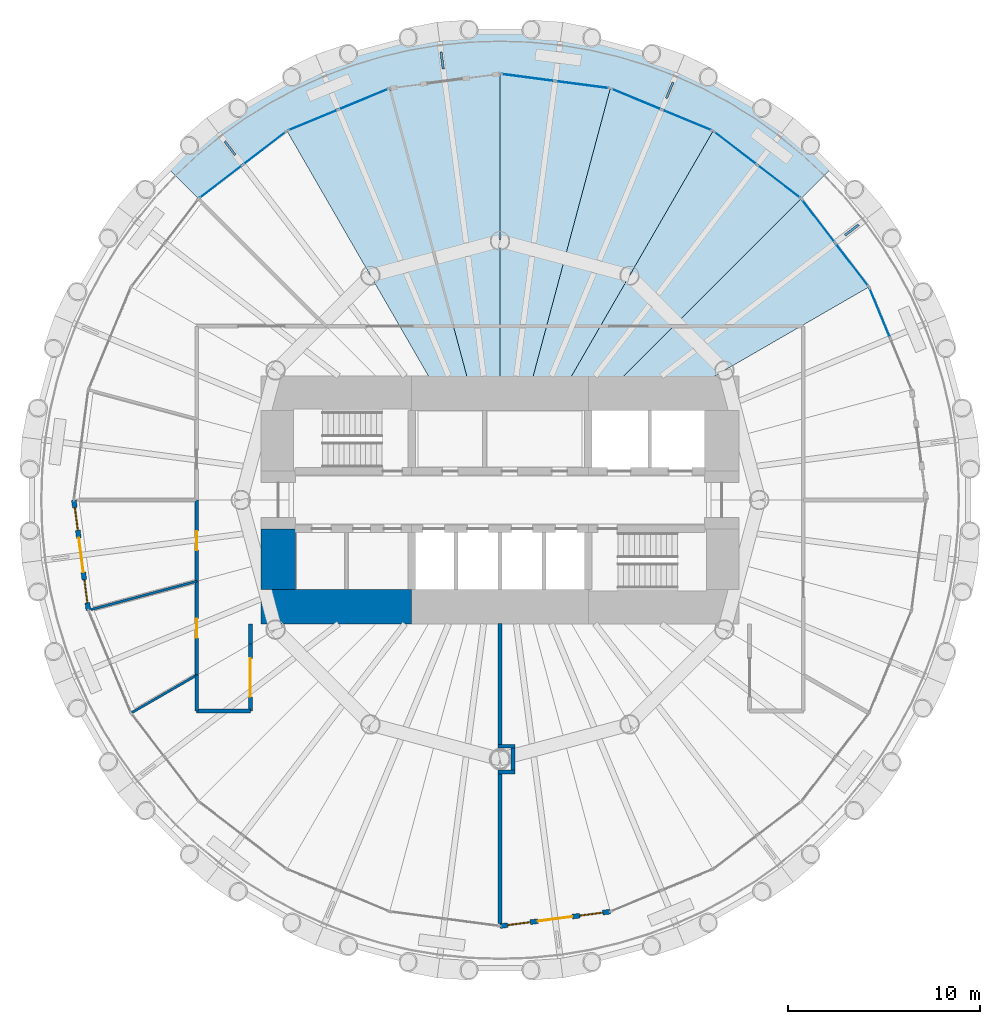
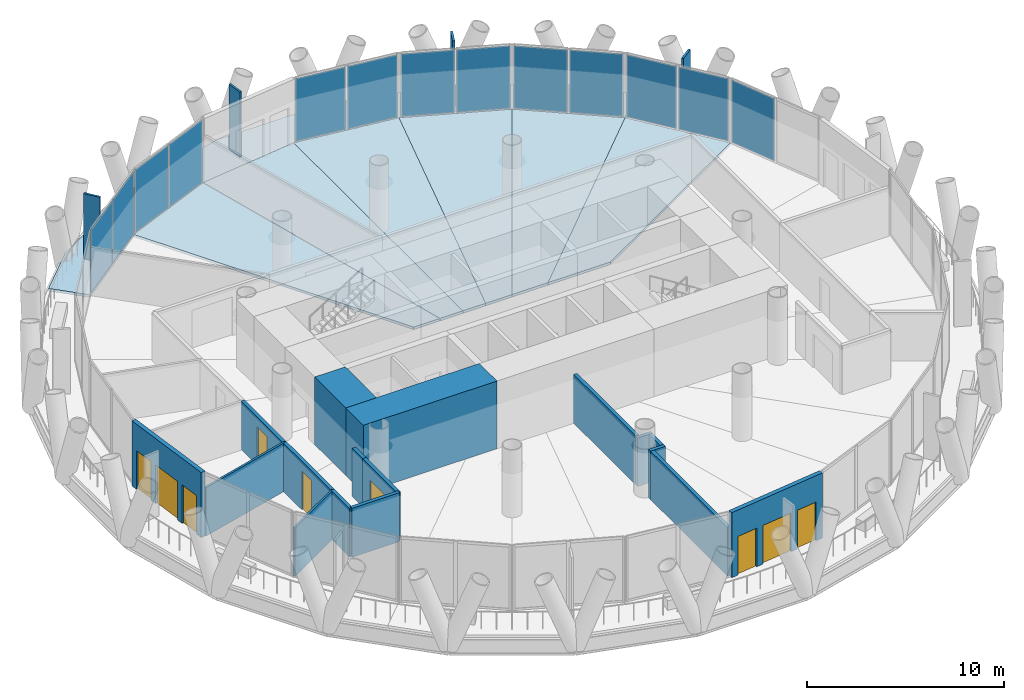
# One storey, part 8 of 14: 17 plates, 17 walls, 7 slabs, 5 doors, 4 windows, 9 openings, 7 elements without a shape of their own.
"""IFC4 building model written with IfcOpenShell, lengths in metres."""

from ifc_helpers import new_model, si_unit, direction, frame, frame_2d, origin, origin_2d, place, context, subcontext, project, spatial, polyline, rectangle, outline, extrude, material, layer, layer_set, type_object, element, fill, aggregate, save


model = new_model("IFC4")

# Units and contexts
model_context = context("Model", 3, precision=1e-05, world=origin(), true_north=direction((0.0, 1.0)))
body_context = subcontext(model_context, "Body", "Model", "MODEL_VIEW")
ifc_project = project(units=[si_unit("LENGTHUNIT", "METRE"), si_unit("AREAUNIT", "SQUARE_METRE"), si_unit("VOLUMEUNIT", "CUBIC_METRE"), si_unit("PLANEANGLEUNIT", "RADIAN"), si_unit("MASSUNIT", "GRAM", prefix="KILO")], contexts=[model_context])

# Site, building, storey
site_placement = place(None, origin())
site = spatial("IfcSite", under=ifc_project, at=site_placement, CompositionType="ELEMENT")
building_placement = place(site_placement, origin())
building = spatial("IfcBuilding", under=site, at=building_placement, Name="Qaws Media Tower", CompositionType="ELEMENT")
storey_placement = place(building_placement, frame((0.0, 0.0, 168.800048828125)))
storey = spatial("IfcBuildingStorey", under=building, at=storey_placement, Name="L38", CompositionType="ELEMENT", Elevation=168.800048828125)

# Slabs
ifc_material_1 = material(Name="Concrete C35/45", Category="concrete")
ifc_layer_1 = layer(ifc_material_1, 0.159912109375)
ifc_layer_set_1 = layer_set([ifc_layer_1], Name="Composite balcony slab 160")
slab_type_1 = type_object("IfcSlabType", Name="Composite balcony slab 160", PredefinedType="FLOOR", material=ifc_layer_set_1)
slab_1_placement = place(storey_placement, frame((0.0, 0.0, -0.16015625)))
element("IfcSlab", 1, at=slab_1_placement, inside=storey, type_object=slab_type_1, Name="S2 balcony slab L38 R04 to R10, movement joints on R04 and R10", PredefinedType="FLOOR", context=body_context, shape_type="SweptSolid", body=[
    extrude(outline(polyline([(45.0244140625, 69.5166015625), (50.5859375, 72.727294921875), (56.7890625, 74.389404296875), (63.2109375, 74.389404296875), (69.4140625, 72.727294921875), (74.9755859375, 69.5166015625), (77.24609375, 67.24609375), (75.69775390625, 65.69775390625), (71.10009765625, 69.225830078125), (65.745849609375, 71.443603515625), (60.0, 72.199951171875), (54.254150390625, 71.443603515625), (48.89990234375, 69.225830078125), (44.30224609375, 65.69775390625), (42.75390625, 67.24609375), (45.0244140625, 69.5166015625)])), origin(), (0.0, 0.0, 1.0), 0.16015625),
])
ifc_material_2 = material(Name="Concrete C35/45", Category="concrete")
ifc_layer_2 = layer(ifc_material_2, 0.159912109375)
ifc_layer_set_2 = layer_set([ifc_layer_2], Name="Composite floor slab 160")
slab_type_2 = type_object("IfcSlabType", Name="Composite floor slab 160", PredefinedType="FLOOR", material=ifc_layer_set_2)
slab_2_placement = place(storey_placement, frame((0.0, 0.0, -0.16015625)))
element("IfcSlab", 2, at=slab_2_placement, inside=storey, type_object=slab_type_2, Name="S1 floor panel L38 on R03+7.5", PredefinedType="FLOOR", context=body_context, shape_type="SweptSolid", body=[
    extrude(outline(polyline([(79.225830078125, 61.10009765625), (68.660400390625, 55.0), (65.0, 55.0), (75.69775390625, 65.69775390625), (79.225830078125, 61.10009765625)])), origin(), (0.0, 0.0, 1.0), 0.16015625),
])
slab_3_placement = place(storey_placement, frame((0.0, 0.0, -0.16015625)))
element("IfcSlab", 3, at=slab_3_placement, inside=storey, type_object=slab_type_2, Name="S1 floor panel L38 on R04+7.5", PredefinedType="FLOOR", context=body_context, shape_type="SweptSolid", body=[
    extrude(outline(polyline([(75.69775390625, 65.69775390625), (65.0, 55.0), (62.88671875, 55.0), (71.10009765625, 69.225830078125), (75.69775390625, 65.69775390625)])), origin(), (0.0, 0.0, 1.0), 0.16015625),
])
slab_4_placement = place(storey_placement, frame((0.0, 0.0, -0.16015625)))
element("IfcSlab", 4, at=slab_4_placement, inside=storey, type_object=slab_type_2, Name="S1 floor panel L38 on R05+7.5", PredefinedType="FLOOR", context=body_context, shape_type="SweptSolid", body=[
    extrude(outline(polyline([(65.745849609375, 71.443603515625), (71.10009765625, 69.225830078125), (62.88671875, 55.0), (61.339599609375, 55.0), (65.745849609375, 71.443603515625)])), origin(), (0.0, 0.0, 1.0), 0.16015625),
])
slab_5_placement = place(storey_placement, frame((0.0, 0.0, -0.16015625)))
element("IfcSlab", 5, at=slab_5_placement, inside=storey, type_object=slab_type_2, Name="S1 floor panel L38 on R06+7.5", PredefinedType="FLOOR", context=body_context, shape_type="SweptSolid", body=[
    extrude(outline(polyline([(65.745849609375, 71.443603515625), (61.339599609375, 55.0), (60.0, 55.0), (60.0, 72.199951171875), (65.745849609375, 71.443603515625)])), origin(), (0.0, 0.0, 1.0), 0.16015625),
])
slab_6_placement = place(storey_placement, frame((0.0, 0.0, -0.16015625)))
element("IfcSlab", 6, at=slab_6_placement, inside=storey, type_object=slab_type_2, Name="S1 floor panel L38 on R07+7.5", PredefinedType="FLOOR", context=body_context, shape_type="SweptSolid", body=[
    extrude(outline(polyline([(60.0, 72.199951171875), (60.0, 55.0), (58.660400390625, 55.0), (54.254150390625, 71.443603515625), (60.0, 72.199951171875)])), origin(), (0.0, 0.0, 1.0), 0.16015625),
])
slab_7_placement = place(storey_placement, frame((0.0, 0.0, -0.16015625)))
element("IfcSlab", 7, at=slab_7_placement, inside=storey, type_object=slab_type_2, Name="S1 floor panel L38 on R08+7.5", PredefinedType="FLOOR", context=body_context, shape_type="SweptSolid", body=[
    extrude(outline(polyline([(48.89990234375, 69.225830078125), (54.254150390625, 71.443603515625), (58.660400390625, 55.0), (57.11328125, 55.0), (48.89990234375, 69.225830078125)])), origin(), (0.0, 0.0, 1.0), 0.16015625),
])

# Curtain wall, plate
ifc_material_3 = material(Name="Aluminium and clear glass", Category="aluminium")
curtain_wall_type = type_object("IfcCurtainWallType", Name="Unitised curtain wall CW-B", PredefinedType="NOTDEFINED", material=ifc_material_3)
curtain_wall_1_placement = place(storey_placement, origin())
curtain_wall_1 = element("IfcCurtainWall", 8, at=curtain_wall_1_placement, inside=storey, type_object=curtain_wall_type, Name="CWB curtain wall L38-02", PredefinedType="NOTDEFINED")
ifc_material_4 = material(Name="Clear laminated double glazing", Category="glass")
ifc_layer_3 = layer(ifc_material_4, 0.031982421875)
ifc_layer_set_3 = layer_set([ifc_layer_3], Name="Curtain wall glass unit 32")
plate_type_1 = type_object("IfcPlateType", Name="Curtain wall glass unit 32", PredefinedType="CURTAIN_PANEL", material=ifc_layer_set_3)
plate_1_placement = place(storey_placement, frame((79.787841796875, 59.742919921875, 0.080078125), z_axis=(0.0, 0.0, 1.0), x_axis=(-0.382683388586, 0.923879550645, 0.0)))
plate_1 = element("IfcPlate", 9, at=plate_1_placement, type_object=plate_type_1, Name="CWB panel 2.1", PredefinedType="CURTAIN_PANEL", context=body_context, shape_type="SweptSolid", body=[
    extrude(rectangle(XDim=2.777587890625, YDim=0.031982421875, at=origin_2d()), origin(), (0.0, 0.0, 1.0), 3.8798828125),
])
aggregate(curtain_wall_1, [plate_1])

# Curtain wall, plates
curtain_wall_2_placement = place(storey_placement, origin())
curtain_wall_2 = element("IfcCurtainWall", 10, at=curtain_wall_2_placement, inside=storey, type_object=curtain_wall_type, Name="CWB curtain wall L38-03", PredefinedType="NOTDEFINED")
plate_2_placement = place(storey_placement, frame((78.33154296875, 62.265380859375, 0.080078125), z_axis=(0.0, 0.0, 1.0), x_axis=(-0.60876134507, 0.793353404699, 0.0)))
plate_2 = element("IfcPlate", 11, at=plate_2_placement, type_object=plate_type_1, Name="CWB panel 1.1", PredefinedType="CURTAIN_PANEL", context=body_context, shape_type="SweptSolid", body=[
    extrude(rectangle(XDim=2.777587890625, YDim=0.031982421875, at=origin_2d()), origin(), (0.0, 0.0, 1.0), 3.8798828125),
])
plate_3_placement = place(storey_placement, frame((76.592041015625, 64.532470703125, 0.080078125), z_axis=(0.0, 0.0, 1.0), x_axis=(-0.60876134507, 0.793353404699, 0.0)))
plate_3 = element("IfcPlate", 12, at=plate_3_placement, type_object=plate_type_1, Name="CWB panel 2.1", PredefinedType="CURTAIN_PANEL", context=body_context, shape_type="SweptSolid", body=[
    extrude(rectangle(XDim=2.777587890625, YDim=0.031982421875, at=origin_2d()), origin(), (0.0, 0.0, 1.0), 3.8798828125),
])
aggregate(curtain_wall_2, [plate_2, plate_3])

curtain_wall_3_placement = place(storey_placement, origin())
curtain_wall_3 = element("IfcCurtainWall", 13, at=curtain_wall_3_placement, inside=storey, type_object=curtain_wall_type, Name="CWB curtain wall L38-04", PredefinedType="NOTDEFINED")
plate_4_placement = place(storey_placement, frame((74.532470703125, 66.592041015625, 0.080078125), z_axis=(0.0, 0.0, 1.0), x_axis=(-0.793353404699, 0.60876134507, 0.0)))
plate_4 = element("IfcPlate", 14, at=plate_4_placement, type_object=plate_type_1, Name="CWB panel 1.1", PredefinedType="CURTAIN_PANEL", context=body_context, shape_type="SweptSolid", body=[
    extrude(rectangle(XDim=2.777587890625, YDim=0.031982421875, at=origin_2d()), origin(), (0.0, 0.0, 1.0), 3.8798828125),
])
plate_5_placement = place(storey_placement, frame((72.265380859375, 68.33154296875, 0.080078125), z_axis=(0.0, 0.0, 1.0), x_axis=(-0.793353404699, 0.60876134507, 0.0)))
plate_5 = element("IfcPlate", 15, at=plate_5_placement, type_object=plate_type_1, Name="CWB panel 2.1", PredefinedType="CURTAIN_PANEL", context=body_context, shape_type="SweptSolid", body=[
    extrude(rectangle(XDim=2.777587890625, YDim=0.031982421875, at=origin_2d()), origin(), (0.0, 0.0, 1.0), 3.8798828125),
])
aggregate(curtain_wall_3, [plate_4, plate_5])

curtain_wall_4_placement = place(storey_placement, origin())
curtain_wall_4 = element("IfcCurtainWall", 16, at=curtain_wall_4_placement, inside=storey, type_object=curtain_wall_type, Name="CWB curtain wall L38-05", PredefinedType="NOTDEFINED")
plate_6_placement = place(storey_placement, frame((69.742919921875, 69.787841796875, 0.080078125), z_axis=(0.0, 0.0, 1.0), x_axis=(-0.923879550645, 0.382683388586, 0.0)))
plate_6 = element("IfcPlate", 17, at=plate_6_placement, type_object=plate_type_1, Name="CWB panel 1.1", PredefinedType="CURTAIN_PANEL", context=body_context, shape_type="SweptSolid", body=[
    extrude(rectangle(XDim=2.777587890625, YDim=0.031982421875, at=origin_2d()), origin(), (0.0, 0.0, 1.0), 3.8798828125),
])
plate_7_placement = place(storey_placement, frame((67.102783203125, 70.88134765625, 0.080078125), z_axis=(0.0, 0.0, 1.0), x_axis=(-0.923879550645, 0.382683388586, 0.0)))
plate_7 = element("IfcPlate", 18, at=plate_7_placement, type_object=plate_type_1, Name="CWB panel 2.1", PredefinedType="CURTAIN_PANEL", context=body_context, shape_type="SweptSolid", body=[
    extrude(rectangle(XDim=2.777587890625, YDim=0.031982421875, at=origin_2d()), origin(), (0.0, 0.0, 1.0), 3.8798828125),
])
aggregate(curtain_wall_4, [plate_6, plate_7])

curtain_wall_5_placement = place(storey_placement, origin())
curtain_wall_5 = element("IfcCurtainWall", 19, at=curtain_wall_5_placement, inside=storey, type_object=curtain_wall_type, Name="CWB curtain wall L38-06", PredefinedType="NOTDEFINED")
plate_8_placement = place(storey_placement, frame((64.28955078125, 71.63525390625, 0.080078125), z_axis=(0.0, 0.0, 1.0), x_axis=(-0.991444854284, 0.13052624607, 0.0)))
plate_8 = element("IfcPlate", 20, at=plate_8_placement, type_object=plate_type_1, Name="CWB panel 1.1", PredefinedType="CURTAIN_PANEL", context=body_context, shape_type="SweptSolid", body=[
    extrude(rectangle(XDim=2.777587890625, YDim=0.031982421875, at=origin_2d()), origin(), (0.0, 0.0, 1.0), 3.8798828125),
])
plate_9_placement = place(storey_placement, frame((61.456298828125, 72.00830078125, 0.080078125), z_axis=(0.0, 0.0, 1.0), x_axis=(-0.991444854284, 0.13052624607, 0.0)))
plate_9 = element("IfcPlate", 21, at=plate_9_placement, type_object=plate_type_1, Name="CWB panel 2.1", PredefinedType="CURTAIN_PANEL", context=body_context, shape_type="SweptSolid", body=[
    extrude(rectangle(XDim=2.777587890625, YDim=0.031982421875, at=origin_2d()), origin(), (0.0, 0.0, 1.0), 3.8798828125),
])
aggregate(curtain_wall_5, [plate_8, plate_9])

curtain_wall_6_placement = place(storey_placement, origin())
curtain_wall_6 = element("IfcCurtainWall", 22, at=curtain_wall_6_placement, inside=storey, type_object=curtain_wall_type, Name="CWB curtain wall L38-08", PredefinedType="NOTDEFINED")
plate_10_placement = place(storey_placement, frame((52.897216796875, 70.88134765625, 0.080078125), z_axis=(0.0, 0.0, 1.0), x_axis=(-0.923879550645, -0.382683388586, 0.0)))
plate_10 = element("IfcPlate", 23, at=plate_10_placement, type_object=plate_type_1, Name="CWB panel 1.1", PredefinedType="CURTAIN_PANEL", context=body_context, shape_type="SweptSolid", body=[
    extrude(rectangle(XDim=2.777587890625, YDim=0.031982421875, at=origin_2d()), origin(), (0.0, 0.0, 1.0), 3.8798828125),
])
plate_11_placement = place(storey_placement, frame((50.257080078125, 69.787841796875, 0.080078125), z_axis=(0.0, 0.0, 1.0), x_axis=(-0.923879550645, -0.382683388586, 0.0)))
plate_11 = element("IfcPlate", 24, at=plate_11_placement, type_object=plate_type_1, Name="CWB panel 2.1", PredefinedType="CURTAIN_PANEL", context=body_context, shape_type="SweptSolid", body=[
    extrude(rectangle(XDim=2.777587890625, YDim=0.031982421875, at=origin_2d()), origin(), (0.0, 0.0, 1.0), 3.8798828125),
])
aggregate(curtain_wall_6, [plate_10, plate_11])

curtain_wall_7_placement = place(storey_placement, origin())
curtain_wall_7 = element("IfcCurtainWall", 25, at=curtain_wall_7_placement, inside=storey, type_object=curtain_wall_type, Name="CWB curtain wall L38-09", PredefinedType="NOTDEFINED")
plate_12_placement = place(storey_placement, frame((47.734619140625, 68.33154296875, 0.080078125), z_axis=(0.0, 0.0, 1.0), x_axis=(-0.793353404699, -0.60876134507, 0.0)))
plate_12 = element("IfcPlate", 26, at=plate_12_placement, type_object=plate_type_1, Name="CWB panel 1.1", PredefinedType="CURTAIN_PANEL", context=body_context, shape_type="SweptSolid", body=[
    extrude(rectangle(XDim=2.777587890625, YDim=0.031982421875, at=origin_2d()), origin(), (0.0, 0.0, 1.0), 3.8798828125),
])
plate_13_placement = place(storey_placement, frame((45.467529296875, 66.592041015625, 0.080078125), z_axis=(0.0, 0.0, 1.0), x_axis=(-0.793353404699, -0.60876134507, 0.0)))
plate_13 = element("IfcPlate", 27, at=plate_13_placement, type_object=plate_type_1, Name="CWB panel 2.1", PredefinedType="CURTAIN_PANEL", context=body_context, shape_type="SweptSolid", body=[
    extrude(rectangle(XDim=2.777587890625, YDim=0.031982421875, at=origin_2d()), origin(), (0.0, 0.0, 1.0), 3.8798828125),
])
aggregate(curtain_wall_7, [plate_12, plate_13])

# Plates
ifc_material_5 = material(Name="Precast concrete screen fin", Category="concrete")
ifc_layer_4 = layer(ifc_material_5, 0.1201171875)
ifc_layer_set_4 = layer_set([ifc_layer_4], Name="Screen fin 120x900")
plate_type_2 = type_object("IfcPlateType", Name="Screen fin 120x900", PredefinedType="USERDEFINED", material=ifc_layer_set_4)
for number, where, z_axis, x_axis, name in (
    (28, (78.326416015625, 64.0625, 0.0), (0.0, 0.0, 1.0), (0.793353340291, 0.608761429009, 0.0), "SCR1 screen fin L38-02"),
    (29, (68.840087890625, 71.341552734375, 0.0), (0.0, 0.0, 1.0), (0.382683432365, 0.923879532511, 0.0), "SCR1 screen fin L38-03"),
    (30, (56.98486328125, 72.90234375, 0.0), (0.0, 0.0, 1.0), (-0.13052619222, 0.991444861374, 0.0), "SCR1 screen fin L38-04"),
    (31, (45.9375, 68.326416015625, 0.0), (0.0, 0.0, 1.0), (-0.608761429009, 0.793353340291, 0.0), "SCR1 screen fin L38-05"),
):
    element("IfcPlate", number, at=place(storey_placement, frame(where, z_axis=z_axis, x_axis=x_axis)), inside=storey, type_object=plate_type_2, Name=name, ObjectType="SCREEN", PredefinedType="USERDEFINED", context=body_context, shape_type="SweptSolid", body=[
        extrude(rectangle(XDim=0.89990234375, YDim=0.1201171875, at=origin_2d()), origin(), (0.0, 0.0, 1.0), 4.0400390625),
    ])

# Wall, openings, door, windows
ifc_material_6 = material(Name="Precast concrete, exposed finish", Category="concrete")
ifc_layer_5 = layer(ifc_material_6, 0.25)
ifc_layer_set_5 = layer_set([ifc_layer_5], Name="Balcony door wall 250")
wall_type_1 = type_object("IfcWallType", Name="Balcony door wall 250", PredefinedType="SOLIDWALL", material=ifc_layer_set_5)
wall_1_placement = place(storey_placement, frame((37.800048828125, 50.0, 0.0), z_axis=(0.0, 0.0, 1.0), x_axis=(0.130507908945, -0.991447268241, 0.0)))
wall_1 = element("IfcWall", 32, at=wall_1_placement, inside=storey, type_object=wall_type_1, Name="W210 EW1 balcony door wall L38-13", PredefinedType="SOLIDWALL", context=body_context, shape_type="SweptSolid", body=[
    extrude(rectangle(XDim=5.79541015625, YDim=0.25, at=frame_2d((2.897705078125, 0.0))), origin(), (0.0, 0.0, 1.0), 4.0400390625),
])
opening_1_placement = place(wall_1_placement, frame((1.997802734375, 0.0, 0.0)))
opening_1 = element("IfcOpeningElement", 33, at=opening_1_placement, cuts=wall_1, Name="Opening D7", PredefinedType="OPENING", context=body_context, shape_type="SweptSolid", body=[
    extrude(rectangle(XDim=1.800048828125, YDim=2.39990234375, at=frame_2d((0.89990234375, 1.199951171875))), frame((0.0, 0.135009765625, 0.0), z_axis=(0.0, -1.0, 0.0), x_axis=(1.0, 0.0, 0.0)), (0.0, 0.0, 1.0), 0.27001953125),
])
opening_2_placement = place(wall_1_placement, frame((0.397705078125, 0.0, 0.0)))
opening_2 = element("IfcOpeningElement", 34, at=opening_2_placement, cuts=wall_1, Name="Opening W1", PredefinedType="OPENING", context=body_context, shape_type="SweptSolid", body=[
    extrude(rectangle(XDim=1.199951171875, YDim=2.39990234375, at=frame_2d((0.60009765625, 1.199951171875))), frame((0.0, 0.135009765625, 0.0), z_axis=(0.0, -1.0, 0.0), x_axis=(1.0, 0.0, 0.0)), (0.0, 0.0, 1.0), 0.27001953125),
])
opening_3_placement = place(wall_1_placement, frame((4.19775390625, 0.0, 0.0)))
opening_3 = element("IfcOpeningElement", 35, at=opening_3_placement, cuts=wall_1, Name="Opening W1", PredefinedType="OPENING", context=body_context, shape_type="SweptSolid", body=[
    extrude(rectangle(XDim=1.199951171875, YDim=2.39990234375, at=frame_2d((0.60009765625, 1.199951171875))), frame((0.0, 0.135009765625, 0.0), z_axis=(0.0, -1.0, 0.0), x_axis=(1.0, 0.0, 0.0)), (0.0, 0.0, 1.0), 0.27001953125),
])
ifc_material_7 = material(Name="Aluminium and clear glass", Category="aluminium")
door_type_1 = type_object("IfcDoorType", Name="Balcony door pair 1800", OperationType="DOUBLE_DOOR_SLIDING", PredefinedType="DOOR", material=ifc_material_7)
door_1_placement = place(opening_1_placement, origin())
door_1 = element("IfcDoor", 36, at=door_1_placement, inside=storey, type_object=door_type_1, Name="D7 balcony door L38-13 in wall W210", OperationType="DOUBLE_DOOR_SLIDING", OverallHeight=2.39990234375, OverallWidth=1.800048828125, PredefinedType="DOOR", context=body_context, shape_type="SweptSolid", body=[
    extrude(rectangle(XDim=1.800048828125, YDim=2.39990234375, at=frame_2d((0.89990234375, 1.199951171875))), frame((0.0, 0.02490234375, 0.0), z_axis=(0.0, -1.0, 0.0), x_axis=(1.0, 0.0, 0.0)), (0.0, 0.0, 1.0), 0.050048828125),
])
fill(opening_1, door_1)
ifc_material_8 = material(Name="Aluminium and clear glass", Category="aluminium")
window_type = type_object("IfcWindowType", Name="Balcony side window 1200", PartitioningType="SINGLE_PANEL", PredefinedType="WINDOW", material=ifc_material_8)
window_1_placement = place(opening_2_placement, origin())
window_1 = element("IfcWindow", 37, at=window_1_placement, inside=storey, type_object=window_type, Name="W1 balcony side light L38-13L", OverallHeight=2.39990234375, OverallWidth=1.199951171875, PartitioningType="SINGLE_PANEL", PredefinedType="WINDOW", context=body_context, shape_type="SweptSolid", body=[
    extrude(rectangle(XDim=1.199951171875, YDim=2.39990234375, at=frame_2d((0.60009765625, 1.199951171875))), frame((0.0, 0.030029296875, 0.0), z_axis=(0.0, -1.0, 0.0), x_axis=(1.0, 0.0, 0.0)), (0.0, 0.0, 1.0), 0.06005859375),
])
fill(opening_2, window_1)
window_2_placement = place(opening_3_placement, origin())
window_2 = element("IfcWindow", 38, at=window_2_placement, inside=storey, type_object=window_type, Name="W1 balcony side light L38-13R", OverallHeight=2.39990234375, OverallWidth=1.199951171875, PartitioningType="SINGLE_PANEL", PredefinedType="WINDOW", context=body_context, shape_type="SweptSolid", body=[
    extrude(rectangle(XDim=1.199951171875, YDim=2.39990234375, at=frame_2d((0.60009765625, 1.199951171875))), frame((0.0, 0.030029296875, 0.0), z_axis=(0.0, -1.0, 0.0), x_axis=(1.0, 0.0, 0.0)), (0.0, 0.0, 1.0), 0.06005859375),
])
fill(opening_3, window_2)

wall_2_placement = place(storey_placement, frame((60.0, 27.800048828125, 0.0), z_axis=(0.0, 0.0, 1.0), x_axis=(0.991447268241, 0.130507908945, 0.0)))
wall_2 = element("IfcWall", 39, at=wall_2_placement, inside=storey, type_object=wall_type_1, Name="W211 EW1 balcony door wall L38-19", PredefinedType="SOLIDWALL", context=body_context, shape_type="SweptSolid", body=[
    extrude(rectangle(XDim=5.79541015625, YDim=0.25, at=frame_2d((2.897705078125, 0.0))), origin(), (0.0, 0.0, 1.0), 4.0400390625),
])
opening_4_placement = place(wall_2_placement, frame((1.997802734375, 0.0, 0.0)))
opening_4 = element("IfcOpeningElement", 40, at=opening_4_placement, cuts=wall_2, Name="Opening D7", PredefinedType="OPENING", context=body_context, shape_type="SweptSolid", body=[
    extrude(rectangle(XDim=1.800048828125, YDim=2.39990234375, at=frame_2d((0.89990234375, 1.199951171875))), frame((0.0, 0.135009765625, 0.0), z_axis=(0.0, -1.0, 0.0), x_axis=(1.0, 0.0, 0.0)), (0.0, 0.0, 1.0), 0.27001953125),
])
opening_5_placement = place(wall_2_placement, frame((0.397705078125, 0.0, 0.0)))
opening_5 = element("IfcOpeningElement", 41, at=opening_5_placement, cuts=wall_2, Name="Opening W1", PredefinedType="OPENING", context=body_context, shape_type="SweptSolid", body=[
    extrude(rectangle(XDim=1.199951171875, YDim=2.39990234375, at=frame_2d((0.60009765625, 1.199951171875))), frame((0.0, 0.135009765625, 0.0), z_axis=(0.0, -1.0, 0.0), x_axis=(1.0, 0.0, 0.0)), (0.0, 0.0, 1.0), 0.27001953125),
])
opening_6_placement = place(wall_2_placement, frame((4.19775390625, 0.0, 0.0)))
opening_6 = element("IfcOpeningElement", 42, at=opening_6_placement, cuts=wall_2, Name="Opening W1", PredefinedType="OPENING", context=body_context, shape_type="SweptSolid", body=[
    extrude(rectangle(XDim=1.199951171875, YDim=2.39990234375, at=frame_2d((0.60009765625, 1.199951171875))), frame((0.0, 0.135009765625, 0.0), z_axis=(0.0, -1.0, 0.0), x_axis=(1.0, 0.0, 0.0)), (0.0, 0.0, 1.0), 0.27001953125),
])
door_2_placement = place(opening_4_placement, origin())
door_2 = element("IfcDoor", 43, at=door_2_placement, inside=storey, type_object=door_type_1, Name="D7 balcony door L38-19 in wall W211", OperationType="DOUBLE_DOOR_SLIDING", OverallHeight=2.39990234375, OverallWidth=1.800048828125, PredefinedType="DOOR", context=body_context, shape_type="SweptSolid", body=[
    extrude(rectangle(XDim=1.800048828125, YDim=2.39990234375, at=frame_2d((0.89990234375, 1.199951171875))), frame((0.0, 0.02490234375, 0.0), z_axis=(0.0, -1.0, 0.0), x_axis=(1.0, 0.0, 0.0)), (0.0, 0.0, 1.0), 0.050048828125),
])
fill(opening_4, door_2)
window_3_placement = place(opening_5_placement, origin())
window_3 = element("IfcWindow", 44, at=window_3_placement, inside=storey, type_object=window_type, Name="W1 balcony side light L38-19L", OverallHeight=2.39990234375, OverallWidth=1.199951171875, PartitioningType="SINGLE_PANEL", PredefinedType="WINDOW", context=body_context, shape_type="SweptSolid", body=[
    extrude(rectangle(XDim=1.199951171875, YDim=2.39990234375, at=frame_2d((0.60009765625, 1.199951171875))), frame((0.0, 0.030029296875, 0.0), z_axis=(0.0, -1.0, 0.0), x_axis=(1.0, 0.0, 0.0)), (0.0, 0.0, 1.0), 0.06005859375),
])
fill(opening_5, window_3)
window_4_placement = place(opening_6_placement, origin())
window_4 = element("IfcWindow", 45, at=window_4_placement, inside=storey, type_object=window_type, Name="W1 balcony side light L38-19R", OverallHeight=2.39990234375, OverallWidth=1.199951171875, PartitioningType="SINGLE_PANEL", PredefinedType="WINDOW", context=body_context, shape_type="SweptSolid", body=[
    extrude(rectangle(XDim=1.199951171875, YDim=2.39990234375, at=frame_2d((0.60009765625, 1.199951171875))), frame((0.0, 0.030029296875, 0.0), z_axis=(0.0, -1.0, 0.0), x_axis=(1.0, 0.0, 0.0)), (0.0, 0.0, 1.0), 0.06005859375),
])
fill(opening_6, window_4)

# Walls
ifc_material_9 = material(Name="Concrete C60/75", Category="concrete")
ifc_layer_6 = layer(ifc_material_9, 1.800048828125)
ifc_layer_set_6 = layer_set([ifc_layer_6], Name="Core wall 1800")
wall_type_2 = type_object("IfcWallType", Name="Core wall 1800", PredefinedType="SHEAR", material=ifc_layer_set_6)
wall_3_placement = place(storey_placement, frame((47.550048828125, 44.449951171875, 0.0), z_axis=(0.0, 0.0, 1.0), x_axis=(1.0, 0.0, 0.0)))
element("IfcWall", 46, at=wall_3_placement, inside=storey, type_object=wall_type_2, Name="W416 SW11 core wall SW L38", PredefinedType="SHEAR", context=body_context, shape_type="SweptSolid", body=[
    extrude(rectangle(XDim=7.849853515625, YDim=1.800048828125, at=frame_2d((3.9248046875, 0.0))), origin(), (0.0, 0.0, 1.0), 4.199951171875),
])
wall_4_placement = place(storey_placement, frame((48.449951171875, 45.330078125, 0.0), z_axis=(0.0, 0.0, 1.0), x_axis=(0.0, 1.0, 0.0)))
element("IfcWall", 47, at=wall_4_placement, inside=storey, type_object=wall_type_2, Name="W418 SW11 core wall WS L38", PredefinedType="SHEAR", context=body_context, shape_type="SweptSolid", body=[
    extrude(rectangle(XDim=3.169921875, YDim=1.800048828125, at=frame_2d((1.5849609375, 0.0))), origin(), (0.0, 0.0, 1.0), 4.199951171875),
])
ifc_material_10 = material(Name="Two layers gypsum board each side on 75 studs, insulated", Category="gypsum")
ifc_layer_7 = layer(ifc_material_10, 0.125)
ifc_layer_set_7 = layer_set([ifc_layer_7], Name="Meeting room partition 125 Rw 48")
wall_type_3 = type_object("IfcWallType", Name="Meeting room partition 125 Rw 48", PredefinedType="PARTITIONING", material=ifc_layer_set_7)
wall_5_placement = place(storey_placement, frame((44.197509765625, 45.765625, 0.0), z_axis=(0.0, 0.0, 1.0), x_axis=(-0.965934286989, -0.258787467275, 0.0)))
element("IfcWall", 48, at=wall_5_placement, inside=storey, type_object=wall_type_3, Name="W578 IW5 partition L38", PredefinedType="PARTITIONING", context=body_context, shape_type="SweptSolid", body=[
    extrude(rectangle(XDim=5.699951171875, YDim=0.125, at=frame_2d((2.85009765625, 0.0))), origin(), (0.0, 0.0, 1.0), 3.011962890625),
])
wall_6_placement = place(storey_placement, frame((44.20361328125, 40.8798828125, 0.0), z_axis=(0.0, 0.0, 1.0), x_axis=(-0.86602690036, -0.499997407846, 0.0)))
element("IfcWall", 49, at=wall_6_placement, inside=storey, type_object=wall_type_3, Name="W581 IW5 partition L38", PredefinedType="PARTITIONING", context=body_context, shape_type="SweptSolid", body=[
    extrude(rectangle(XDim=3.919921875, YDim=0.125, at=frame_2d((1.9599609375, 0.0))), origin(), (0.0, 0.0, 1.0), 3.011962890625),
])
ifc_material_11 = material(Name="Gypsum board on galvanised metal studs, acoustic double stud, deflection head", Category="gypsum")
ifc_layer_8 = layer(ifc_material_11, 0.199951171875)
ifc_layer_set_8 = layer_set([ifc_layer_8], Name="Room partition 200")
wall_type_4 = type_object("IfcWallType", Name="Room partition 200", PredefinedType="PARTITIONING", material=ifc_layer_set_8)
wall_7_placement = place(storey_placement, frame((47.0, 43.550048828125, 0.0), z_axis=(0.0, 0.0, 1.0), x_axis=(0.0, -1.0, 0.0)))
element("IfcWall", 50, at=wall_7_placement, inside=storey, type_object=wall_type_4, Name="W1367 IW3 partition L38", PredefinedType="PARTITIONING", context=body_context, shape_type="SweptSolid", body=[
    extrude(rectangle(XDim=1.0556640625, YDim=0.199951171875, at=frame_2d((0.52783203125, 0.0))), origin(), (0.0, 0.0, 1.0), 3.011962890625),
])

# Wall, opening, door
wall_8_placement = place(storey_placement, frame((47.0, 42.494384765625, 0.0), z_axis=(0.0, 0.0, 1.0), x_axis=(0.0, -1.0, 0.0)))
wall_8 = element("IfcWall", 51, at=wall_8_placement, inside=storey, type_object=wall_type_4, Name="W1366 IW3 partition L38", PredefinedType="PARTITIONING", context=body_context, shape_type="SweptSolid", body=[
    extrude(rectangle(XDim=3.494384765625, YDim=0.199951171875, at=frame_2d((1.7470703125, 0.0))), origin(), (0.0, 0.0, 1.0), 3.011962890625),
])
opening_7_placement = place(wall_8_placement, frame((0.747314453125, 0.0, 0.0)))
opening_7 = element("IfcOpeningElement", 52, at=opening_7_placement, cuts=wall_8, Name="Opening D6", PredefinedType="OPENING", context=body_context, shape_type="SweptSolid", body=[
    extrude(rectangle(XDim=2.0, YDim=2.10009765625, at=frame_2d((1.0, 1.050048828125))), frame((0.0, 0.10986328125, 0.0), z_axis=(0.0, -1.0, 0.0), x_axis=(1.0, 0.0, 0.0)), (0.0, 0.0, 1.0), 0.219970703125),
])
ifc_material_12 = material(Name="Steel, acoustic, fire rated", Category="steel")
door_type_2 = type_object("IfcDoorType", Name="Room door pair 2000", OperationType="DOUBLE_DOOR_DOUBLE_SWING", PredefinedType="DOOR", material=ifc_material_12)
door_3_placement = place(opening_7_placement, origin())
door_3 = element("IfcDoor", 53, at=door_3_placement, inside=storey, type_object=door_type_2, Name="D6 HR office door L38 in wall W1366", OperationType="DOUBLE_DOOR_DOUBLE_SWING", OverallHeight=2.10009765625, OverallWidth=2.0, PredefinedType="DOOR", context=body_context, shape_type="SweptSolid", body=[
    extrude(rectangle(XDim=2.0, YDim=2.10009765625, at=frame_2d((1.0, 1.050048828125))), frame((0.0, 0.02490234375, 0.0), z_axis=(0.0, -1.0, 0.0), x_axis=(1.0, 0.0, 0.0)), (0.0, 0.0, 1.0), 0.050048828125),
])
fill(opening_7, door_3)

# Walls
wall_9_placement = place(storey_placement, frame((47.0, 39.0, 0.0), z_axis=(0.0, 0.0, 1.0), x_axis=(-1.0, 0.0, 0.0)))
element("IfcWall", 54, at=wall_9_placement, inside=storey, type_object=wall_type_4, Name="W1222 IW3 partition L38", PredefinedType="PARTITIONING", context=body_context, shape_type="SweptSolid", body=[
    extrude(rectangle(XDim=2.800048828125, YDim=0.199951171875, at=frame_2d((1.39990234375, 0.0))), origin(), (0.0, 0.0, 1.0), 3.0400390625),
])
wall_10_placement = place(storey_placement, frame((44.199951171875, 39.0, 0.0), z_axis=(0.0, 0.0, 1.0), x_axis=(0.0, 1.0, 0.0)))
element("IfcWall", 55, at=wall_10_placement, inside=storey, type_object=wall_type_4, Name="W1360 IW3 partition L38", PredefinedType="PARTITIONING", context=body_context, shape_type="SweptSolid", body=[
    extrude(rectangle(XDim=1.8779296875, YDim=0.199951171875, at=frame_2d((0.93896484375, 0.0))), origin(), (0.0, 0.0, 1.0), 3.011962890625),
])

# Wall, opening, door
wall_11_placement = place(storey_placement, frame((44.199951171875, 40.8779296875, 0.0), z_axis=(0.0, 0.0, 1.0), x_axis=(0.0, 1.0, 0.0)))
wall_11 = element("IfcWall", 56, at=wall_11_placement, inside=storey, type_object=wall_type_4, Name="W1361 IW3 partition L38", PredefinedType="PARTITIONING", context=body_context, shape_type="SweptSolid", body=[
    extrude(rectangle(XDim=4.888427734375, YDim=0.199951171875, at=frame_2d((2.4443359375, 0.0))), origin(), (0.0, 0.0, 1.0), 3.011962890625),
])
opening_8_placement = place(wall_11_placement, frame((1.9443359375, 0.0, 0.0)))
opening_8 = element("IfcOpeningElement", 57, at=opening_8_placement, cuts=wall_11, Name="Opening D13", PredefinedType="OPENING", context=body_context, shape_type="SweptSolid", body=[
    extrude(rectangle(XDim=1.0, YDim=2.39990234375, at=frame_2d((0.5, 1.199951171875))), frame((0.0, 0.10986328125, 0.0), z_axis=(0.0, -1.0, 0.0), x_axis=(1.0, 0.0, 0.0)), (0.0, 0.0, 1.0), 0.219970703125),
])
ifc_material_13 = material(Name="Frameless toughened glass, acoustic seals", Category="glass")
door_type_3 = type_object("IfcDoorType", Name="Glazed meeting room door 1000x2400", OperationType="SINGLE_SWING_LEFT", PredefinedType="DOOR", material=ifc_material_13)
door_4_placement = place(opening_8_placement, origin())
door_4 = element("IfcDoor", 58, at=door_4_placement, inside=storey, type_object=door_type_3, Name="D13 Interview room door L38 in wall W1361", OperationType="SINGLE_SWING_LEFT", OverallHeight=2.39990234375, OverallWidth=1.0, PredefinedType="DOOR", context=body_context, shape_type="SweptSolid", body=[
    extrude(rectangle(XDim=1.0, YDim=2.39990234375, at=frame_2d((0.5, 1.199951171875))), frame((0.0, 0.02490234375, 0.0), z_axis=(0.0, -1.0, 0.0), x_axis=(1.0, 0.0, 0.0)), (0.0, 0.0, 1.0), 0.050048828125),
])
fill(opening_8, door_4)

wall_12_placement = place(storey_placement, frame((44.199951171875, 45.766357421875, 0.0), z_axis=(0.0, 0.0, 1.0), x_axis=(0.0, 1.0, 0.0)))
wall_12 = element("IfcWall", 59, at=wall_12_placement, inside=storey, type_object=wall_type_4, Name="W1362 IW3 partition L38", PredefinedType="PARTITIONING", context=body_context, shape_type="SweptSolid", body=[
    extrude(rectangle(XDim=4.233642578125, YDim=0.199951171875, at=frame_2d((2.11669921875, 0.0))), origin(), (0.0, 0.0, 1.0), 3.011962890625),
])
opening_9_placement = place(wall_12_placement, frame((1.61669921875, 0.0, 0.0)))
opening_9 = element("IfcOpeningElement", 60, at=opening_9_placement, cuts=wall_12, Name="Opening D13", PredefinedType="OPENING", context=body_context, shape_type="SweptSolid", body=[
    extrude(rectangle(XDim=1.0, YDim=2.39990234375, at=frame_2d((0.5, 1.199951171875))), frame((0.0, 0.10986328125, 0.0), z_axis=(0.0, -1.0, 0.0), x_axis=(1.0, 0.0, 0.0)), (0.0, 0.0, 1.0), 0.219970703125),
])
door_5_placement = place(opening_9_placement, origin())
door_5 = element("IfcDoor", 61, at=door_5_placement, inside=storey, type_object=door_type_3, Name="D13 Interview room door L38 in wall W1362", OperationType="SINGLE_SWING_LEFT", OverallHeight=2.39990234375, OverallWidth=1.0, PredefinedType="DOOR", context=body_context, shape_type="SweptSolid", body=[
    extrude(rectangle(XDim=1.0, YDim=2.39990234375, at=frame_2d((0.5, 1.199951171875))), frame((0.0, 0.02490234375, 0.0), z_axis=(0.0, -1.0, 0.0), x_axis=(1.0, 0.0, 0.0)), (0.0, 0.0, 1.0), 0.050048828125),
])
fill(opening_9, door_5)

# Walls
for number, where, z_axis, x_axis, name in (
    (62, (59.89990234375, 37.16796875, 0.0), (0.0, 0.0, 1.0), (1.0, 0.0, 0.0), "W1345 IW3 partition return L38"),
    (63, (59.89990234375, 35.83203125, 0.0), (0.0, 0.0, 1.0), (1.0, 0.0, 0.0), "W1344 IW3 partition return L38"),
):
    element("IfcWall", number, at=place(storey_placement, frame(where, z_axis=z_axis, x_axis=x_axis)), inside=storey, type_object=wall_type_4, Name=name, PredefinedType="PARTITIONING", context=body_context, shape_type="SweptSolid", body=[
        extrude(rectangle(XDim=0.878173828125, YDim=0.199951171875, at=frame_2d((0.43896484375, 0.0))), origin(), (0.0, 0.0, 1.0), 3.011962890625),
    ])
wall_13_placement = place(storey_placement, frame((60.677978515625, 37.068115234375, 0.0), z_axis=(0.0, 0.0, 1.0), x_axis=(0.0, -1.0, 0.0)))
element("IfcWall", 64, at=wall_13_placement, inside=storey, type_object=wall_type_4, Name="W1350 IW3 partition return L38", PredefinedType="PARTITIONING", context=body_context, shape_type="SweptSolid", body=[
    extrude(rectangle(XDim=1.13623046875, YDim=0.199951171875, at=frame_2d((0.568115234375, 0.0))), origin(), (0.0, 0.0, 1.0), 3.011962890625),
])
wall_14_placement = place(storey_placement, frame((60.0, 43.56005859375, 0.0), z_axis=(0.0, 0.0, 1.0), x_axis=(0.0, -1.0, 0.0)))
element("IfcWall", 65, at=wall_14_placement, inside=storey, type_object=wall_type_4, Name="W1288 IW3 partition L38", PredefinedType="PARTITIONING", context=body_context, shape_type="SweptSolid", body=[
    extrude(rectangle(XDim=6.2919921875, YDim=0.199951171875, at=frame_2d((3.14599609375, 0.0))), origin(), (0.0, 0.0, 1.0), 3.0400390625),
])
wall_15_placement = place(storey_placement, frame((60.0, 35.73193359375, 0.0), z_axis=(0.0, 0.0, 1.0), x_axis=(0.0, -1.0, 0.0)))
element("IfcWall", 66, at=wall_15_placement, inside=storey, type_object=wall_type_4, Name="W1383 IW3 partition L38", PredefinedType="PARTITIONING", context=body_context, shape_type="SweptSolid", body=[
    extrude(rectangle(XDim=7.7919921875, YDim=0.199951171875, at=frame_2d((3.89599609375, 0.0))), origin(), (0.0, 0.0, 1.0), 3.011962890625),
])

save(model, "model.ifc")
